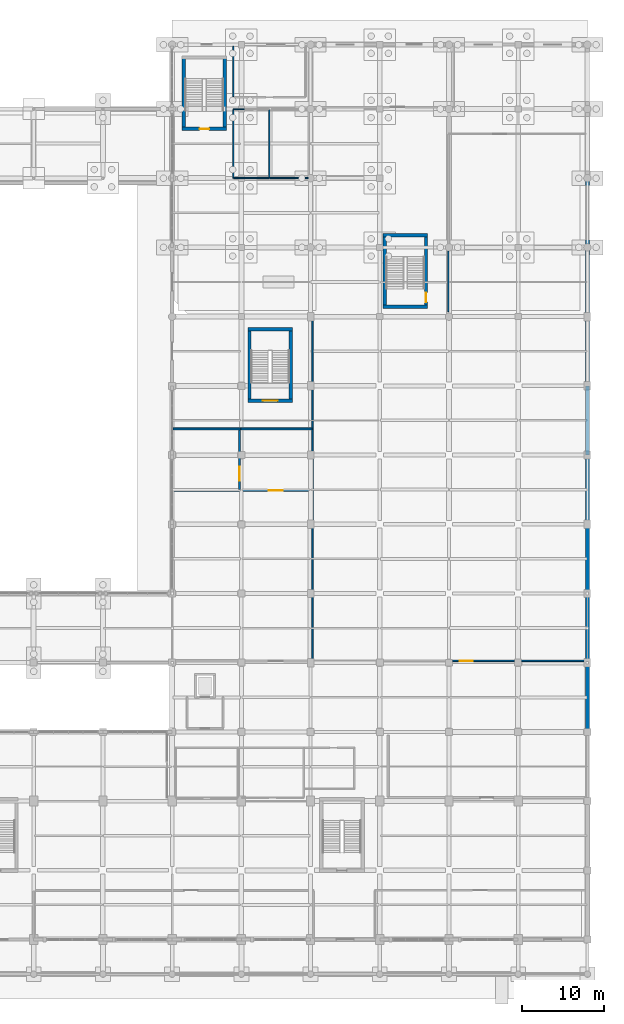
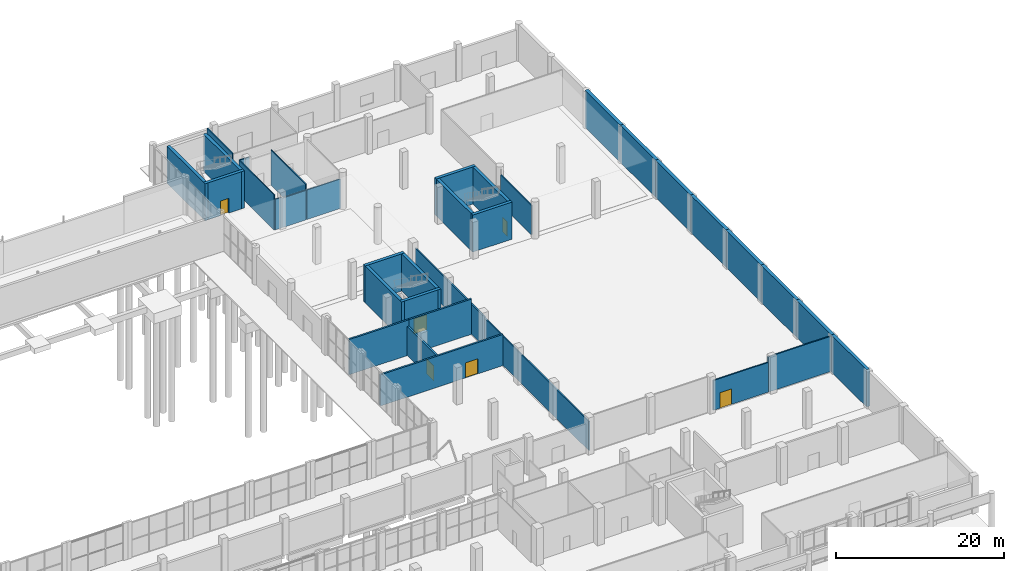
# One storey, part 72 of 82: 35 walls, 6 doors, 6 openings.
"""IFC4 building model written with IfcOpenShell, lengths in metres."""

from ifc_helpers import new_model, si_unit, derived_unit, direction, frame, frame_2d, origin, place, context, subcontext, project, spatial, rectangle, extrude, material, layer, layer_set, type_object, element, fill, save


model = new_model("IFC4")

# Units and contexts
model_context = context("Model", 3, precision=1e-05, world=origin(), true_north=direction((0.0, 1.0)))
body_context = subcontext(model_context, "Body", "Model", "MODEL_VIEW")
ifc_project = project(units=[si_unit("LENGTHUNIT", "METRE"), si_unit("AREAUNIT", "SQUARE_METRE"), si_unit("VOLUMEUNIT", "CUBIC_METRE"), si_unit("PLANEANGLEUNIT", "RADIAN"), si_unit("MASSUNIT", "GRAM", prefix="KILO"), derived_unit("THERMALTRANSMITTANCEUNIT", [(si_unit("POWERUNIT", "WATT"), 1), (si_unit("LENGTHUNIT", "METRE"), -2), (si_unit("THERMODYNAMICTEMPERATUREUNIT", "KELVIN"), -1)])], contexts=[model_context])

# Site, building, storey
site_placement = place(None, origin())
site = spatial("IfcSite", under=ifc_project, at=site_placement, CompositionType="ELEMENT")
building_placement = place(site_placement, origin())
building = spatial("IfcBuilding", under=site, at=building_placement, Name="Barrovel Congress Hotel", CompositionType="ELEMENT")
storey_placement = place(building_placement, origin())
storey = spatial("IfcBuildingStorey", under=building, at=storey_placement, Name="L00", CompositionType="ELEMENT", Elevation=0.0)

# Walls
ifc_material_1 = material(Name="Fired Clay Brick Masonry", Category="masonry")
ifc_layer_1 = layer(ifc_material_1, 0.449951171875)
ifc_layer_set_1 = layer_set([ifc_layer_1], Name="Fired Clay Brick Masonry")
wall_type_1 = type_object("IfcWallType", Name="EW-PW450", PredefinedType="STANDARD", material=ifc_layer_set_1)
wall_1_placement = place(storey_placement, frame((176.39990234375, 29.39990234375, 0.0), z_axis=(0.0, 0.0, 1.0), x_axis=(0.0, 1.0, 0.0)))
element("IfcWall", 1, at=wall_1_placement, inside=storey, type_object=wall_type_1, Name="EW:L00:PARTY:29.4", PredefinedType="STANDARD", context=body_context, shape_type="SweptSolid", body=[
    extrude(rectangle(XDim=8.400146484375, YDim=0.449951171875, at=frame_2d((4.2001953125, 0.0))), origin(), (0.0, 0.0, 1.0), 5.39990234375),
])
wall_2_placement = place(storey_placement, frame((176.39990234375, 37.800048828125, 0.0), z_axis=(0.0, 0.0, 1.0), x_axis=(0.0, 1.0, 0.0)))
element("IfcWall", 2, at=wall_2_placement, inside=storey, type_object=wall_type_1, Name="EW:L00:PARTY:37.8", PredefinedType="STANDARD", context=body_context, shape_type="SweptSolid", body=[
    extrude(rectangle(XDim=8.39990234375, YDim=0.449951171875, at=frame_2d((4.199951171875, 0.0))), origin(), (0.0, 0.0, 1.0), 5.39990234375),
])
wall_3_placement = place(storey_placement, frame((176.39990234375, 46.199951171875, 0.0), z_axis=(0.0, 0.0, 1.0), x_axis=(0.0, 1.0, 0.0)))
element("IfcWall", 3, at=wall_3_placement, inside=storey, type_object=wall_type_1, Name="EW:L00:PARTY:46.2", PredefinedType="STANDARD", context=body_context, shape_type="SweptSolid", body=[
    extrude(rectangle(XDim=8.400146484375, YDim=0.449951171875, at=frame_2d((4.2001953125, 0.0))), origin(), (0.0, 0.0, 1.0), 5.39990234375),
])
for number, where, z_axis, x_axis, name in (
    (4, (176.39990234375, 54.60009765625, 0.0), (0.0, 0.0, 1.0), (0.0, 1.0, 0.0), "EW:L00:PARTY:54.6"),
    (5, (176.39990234375, 63.0, 0.0), (0.0, 0.0, 1.0), (0.0, 1.0, 0.0), "EW:L00:PARTY:63.0"),
):
    element("IfcWall", number, at=place(storey_placement, frame(where, z_axis=z_axis, x_axis=x_axis)), inside=storey, type_object=wall_type_1, Name=name, PredefinedType="STANDARD", context=body_context, shape_type="SweptSolid", body=[
        extrude(rectangle(XDim=8.39990234375, YDim=0.449951171875, at=frame_2d((4.199951171875, 0.0))), origin(), (0.0, 0.0, 1.0), 5.39990234375),
    ])
wall_4_placement = place(storey_placement, frame((176.39990234375, 71.39990234375, 0.0), z_axis=(0.0, 0.0, 1.0), x_axis=(0.0, 1.0, 0.0)))
element("IfcWall", 6, at=wall_4_placement, inside=storey, type_object=wall_type_1, Name="EW:L00:PARTY:71.4", PredefinedType="STANDARD", context=body_context, shape_type="SweptSolid", body=[
    extrude(rectangle(XDim=8.400146484375, YDim=0.449951171875, at=frame_2d((4.2001953125, 0.0))), origin(), (0.0, 0.0, 1.0), 5.39990234375),
])
wall_5_placement = place(storey_placement, frame((176.39990234375, 79.800048828125, 0.0), z_axis=(0.0, 0.0, 1.0), x_axis=(0.0, 1.0, 0.0)))
element("IfcWall", 7, at=wall_5_placement, inside=storey, type_object=wall_type_1, Name="EW:L00:PARTY:79.8", PredefinedType="STANDARD", context=body_context, shape_type="SweptSolid", body=[
    extrude(rectangle(XDim=8.39990234375, YDim=0.449951171875, at=frame_2d((4.199951171875, 0.0))), origin(), (0.0, 0.0, 1.0), 5.39990234375),
])
wall_6_placement = place(storey_placement, frame((176.39990234375, 88.199951171875, 0.0), z_axis=(0.0, 0.0, 1.0), x_axis=(0.0, 1.0, 0.0)))
element("IfcWall", 8, at=wall_6_placement, inside=storey, type_object=wall_type_1, Name="EW:L00:PARTY:88.2", PredefinedType="STANDARD", context=body_context, shape_type="SweptSolid", body=[
    extrude(rectangle(XDim=8.400146484375, YDim=0.449951171875, at=frame_2d((4.2001953125, 0.0))), origin(), (0.0, 0.0, 1.0), 5.39990234375),
])
ifc_material_2 = material(Name="Gypsum Acoustic Stud", Category="gypsum")
ifc_layer_2 = layer(ifc_material_2, 0.179931640625)
ifc_layer_set_2 = layer_set([ifc_layer_2], Name="Gypsum Acoustic Stud")
wall_type_2 = type_object("IfcWallType", Name="PW-ACU-180", PredefinedType="PARTITIONING", material=ifc_layer_set_2)
wall_7_placement = place(storey_placement, frame((143.02001953125, 38.110107421875, 0.0), z_axis=(0.0, 0.0, 1.0), x_axis=(0.0, 1.0, 0.0)))
element("IfcWall", 9, at=wall_7_placement, inside=storey, type_object=wall_type_2, Name="RW:SP:L00:BALL:W", PredefinedType="PARTITIONING", context=body_context, shape_type="SweptSolid", body=[
    extrude(rectangle(XDim=24.889892578125, YDim=0.179931640625, at=frame_2d((12.44482421875, 0.0))), origin(), (0.0, 0.0, 1.0), 4.239990234375),
])

# Wall, opening, door
wall_8_placement = place(storey_placement, frame((160.0, 38.02001953125, 0.0), z_axis=(0.0, 0.0, 1.0), x_axis=(1.0, 0.0, 0.0)))
wall_8 = element("IfcWall", 10, at=wall_8_placement, inside=storey, type_object=wall_type_2, Name="RW:SP:L00:BALL:S:P02", PredefinedType="PARTITIONING", context=body_context, shape_type="SweptSolid", body=[
    extrude(rectangle(XDim=7.574951171875, YDim=0.179931640625, at=frame_2d((3.78759765625, 0.0))), origin(), (0.0, 0.0, 1.0), 4.340087890625),
])
opening_1_placement = place(wall_8_placement, frame((0.8974609375, 0.0, 0.0)))
opening_1 = element("IfcOpeningElement", 11, at=opening_1_placement, cuts=wall_8, Name="Opening ID-MTG", PredefinedType="OPENING", context=body_context, shape_type="SweptSolid", body=[
    extrude(rectangle(XDim=1.60009765625, YDim=2.25, at=frame_2d((0.800048828125, 1.125))), frame((0.0, 0.10009765625, 0.0), z_axis=(0.0, -1.0, 0.0), x_axis=(1.0, 0.0, 0.0)), (0.0, 0.0, 1.0), 0.199951171875),
])
ifc_material_3 = material(Name="Solid Oak Acoustic Timber Door", Category="wood")
door_type_1 = type_object("IfcDoorType", Name="IDR-ID-MTG", OperationType="NOTDEFINED", PredefinedType="DOOR", material=ifc_material_3)
door_1_placement = place(opening_1_placement, origin())
door_1 = element("IfcDoor", 12, at=door_1_placement, inside=storey, type_object=door_type_1, Name="RD:SP:L00:BALL", OperationType="DOUBLE_DOOR_SINGLE_SWING", OverallHeight=2.25, OverallWidth=1.60009765625, PredefinedType="DOOR", context=body_context, shape_type="SweptSolid", body=[
    extrude(rectangle(XDim=1.60009765625, YDim=2.25, at=frame_2d((0.800048828125, 1.125))), frame((0.0, 0.02490234375, 0.0), z_axis=(0.0, -1.0, 0.0), x_axis=(1.0, 0.0, 0.0)), (0.0, 0.0, 1.0), 0.050048828125),
])
fill(opening_1, door_1)

# Walls
wall_9_placement = place(storey_placement, frame((167.574951171875, 38.02001953125, 0.0), z_axis=(0.0, 0.0, 1.0), x_axis=(1.0, 0.0, 0.0)))
element("IfcWall", 13, at=wall_9_placement, inside=storey, type_object=wall_type_2, Name="RW:SP:L00:BALL:S:P03", PredefinedType="PARTITIONING", context=body_context, shape_type="SweptSolid", body=[
    extrude(rectangle(XDim=8.60009765625, YDim=0.179931640625, at=frame_2d((4.300048828125, 0.0))), origin(), (0.0, 0.0, 1.0), 5.135009765625),
])
wall_10_placement = place(storey_placement, frame((143.02001953125, 63.0, 0.0), z_axis=(0.0, 0.0, 1.0), x_axis=(0.0, 1.0, 0.0)))
element("IfcWall", 14, at=wall_10_placement, inside=storey, type_object=wall_type_2, Name="RW:SP:L00:BALL:W:P02", PredefinedType="PARTITIONING", context=body_context, shape_type="SweptSolid", body=[
    extrude(rectangle(XDim=16.580078125, YDim=0.179931640625, at=frame_2d((8.2900390625, 0.0))), origin(), (0.0, 0.0, 1.0), 4.389892578125),
])

# Wall, opening, door
ifc_layer_3 = layer(ifc_material_1, 0.239990234375)
ifc_layer_set_3 = layer_set([ifc_layer_3], Name="Fired Clay Brick Masonry")
wall_type_3 = type_object("IfcWallType", Name="PW-MAS-240", PredefinedType="PARTITIONING", material=ifc_layer_set_3)
wall_11_placement = place(storey_placement, frame((126.080078125, 58.679931640625, 0.0), z_axis=(0.0, 0.0, 1.0), x_axis=(1.0, 0.0, 0.0)))
wall_11 = element("IfcWall", 15, at=wall_11_placement, inside=storey, type_object=wall_type_3, Name="RW:SP:L00:MKIT:N", PredefinedType="PARTITIONING", context=body_context, shape_type="SweptSolid", body=[
    extrude(rectangle(XDim=16.864990234375, YDim=0.239990234375, at=frame_2d((8.4326171875, 0.0))), origin(), (0.0, 0.0, 1.0), 4.5400390625),
])
opening_2_placement = place(wall_11_placement, frame((11.669921875, 0.0, 0.0)))
opening_2 = element("IfcOpeningElement", 16, at=opening_2_placement, cuts=wall_11, Name="Opening ID-KIT", PredefinedType="OPENING", context=body_context, shape_type="SweptSolid", body=[
    extrude(rectangle(XDim=1.699951171875, YDim=2.199951171875, at=frame_2d((0.85009765625, 1.10009765625))), frame((0.0, 0.1298828125, 0.0), z_axis=(0.0, -1.0, 0.0), x_axis=(1.0, 0.0, 0.0)), (0.0, 0.0, 1.0), 0.260009765625),
])
ifc_material_4 = material(Name="Brushed Stainless Steel", Category="steel")
door_type_2 = type_object("IfcDoorType", Name="IDR-ID-KIT", OperationType="NOTDEFINED", PredefinedType="DOOR", material=ifc_material_4)
door_2_placement = place(opening_2_placement, origin())
door_2 = element("IfcDoor", 17, at=door_2_placement, inside=storey, type_object=door_type_2, Name="RD:SP:L00:DRYS", OperationType="DOUBLE_DOOR_SINGLE_SWING", OverallHeight=2.199951171875, OverallWidth=1.699951171875, PredefinedType="DOOR", context=body_context, shape_type="SweptSolid", body=[
    extrude(rectangle(XDim=1.699951171875, YDim=2.199951171875, at=frame_2d((0.85009765625, 1.10009765625))), frame((0.0, 0.02490234375, 0.0), z_axis=(0.0, -1.0, 0.0), x_axis=(1.0, 0.0, 0.0)), (0.0, 0.0, 1.0), 0.050048828125),
])
fill(opening_2, door_2)

wall_12_placement = place(storey_placement, frame((134.179931640625, 58.800048828125, 0.0), z_axis=(0.0, 0.0, 1.0), x_axis=(0.0, 1.0, 0.0)))
wall_12 = element("IfcWall", 18, at=wall_12_placement, inside=storey, type_object=wall_type_3, Name="RW:SP:L00:COLD:E", PredefinedType="PARTITIONING", context=body_context, shape_type="SweptSolid", body=[
    extrude(rectangle(XDim=7.260009765625, YDim=0.239990234375, at=frame_2d((3.6298828125, 0.0))), origin(), (0.0, 0.0, 1.0), 4.239990234375),
])
opening_3_placement = place(wall_12_placement, frame((1.080078125, 0.0, 0.0)))
opening_3 = element("IfcOpeningElement", 19, at=opening_3_placement, cuts=wall_12, Name="Opening ID-KIT", PredefinedType="OPENING", context=body_context, shape_type="SweptSolid", body=[
    extrude(rectangle(XDim=1.699951171875, YDim=2.199951171875, at=frame_2d((0.85009765625, 1.10009765625))), frame((0.0, 0.1298828125, 0.0), z_axis=(0.0, -1.0, 0.0), x_axis=(1.0, 0.0, 0.0)), (0.0, 0.0, 1.0), 0.260009765625),
])
door_3_placement = place(opening_3_placement, origin())
door_3 = element("IfcDoor", 20, at=door_3_placement, inside=storey, type_object=door_type_2, Name="RD:SP:L00:COLD", OperationType="DOUBLE_DOOR_SINGLE_SWING", OverallHeight=2.199951171875, OverallWidth=1.699951171875, PredefinedType="DOOR", context=body_context, shape_type="SweptSolid", body=[
    extrude(rectangle(XDim=1.699951171875, YDim=2.199951171875, at=frame_2d((0.85009765625, 1.10009765625))), frame((0.0, 0.02490234375, 0.0), z_axis=(0.0, -1.0, 0.0), x_axis=(1.0, 0.0, 0.0)), (0.0, 0.0, 1.0), 0.050048828125),
])
fill(opening_3, door_3)

# Walls
wall_13_placement = place(storey_placement, frame((126.080078125, 66.179931640625, 0.0), z_axis=(0.0, 0.0, 1.0), x_axis=(1.0, 0.0, 0.0)))
element("IfcWall", 21, at=wall_13_placement, inside=storey, type_object=wall_type_3, Name="RW:SP:L00:COLD:N", PredefinedType="PARTITIONING", context=body_context, shape_type="SweptSolid", body=[
    extrude(rectangle(XDim=8.219970703125, YDim=0.239990234375, at=frame_2d((4.10986328125, 0.0))), origin(), (0.0, 0.0, 1.0), 5.135009765625),
])
wall_14_placement = place(storey_placement, frame((134.300048828125, 66.179931640625, 0.0), z_axis=(0.0, 0.0, 1.0), x_axis=(1.0, 0.0, 0.0)))
element("IfcWall", 22, at=wall_14_placement, inside=storey, type_object=wall_type_3, Name="RW:SP:L00:DRYS:N", PredefinedType="PARTITIONING", context=body_context, shape_type="SweptSolid", body=[
    extrude(rectangle(XDim=8.64501953125, YDim=0.239990234375, at=frame_2d((4.322509765625, 0.0))), origin(), (0.0, 0.0, 1.0), 5.135009765625),
])
ifc_layer_4 = layer(ifc_material_2, 0.14990234375)
ifc_layer_set_4 = layer_set([ifc_layer_4], Name="Gypsum Acoustic Stud")
wall_type_4 = type_object("IfcWallType", Name="PW-STD-150", PredefinedType="PARTITIONING", material=ifc_layer_set_4)
wall_15_placement = place(storey_placement, frame((159.52001953125, 80.419921875, 0.0), z_axis=(0.0, 0.0, 1.0), x_axis=(0.0, 1.0, 0.0)))
element("IfcWall", 23, at=wall_15_placement, inside=storey, type_object=wall_type_4, Name="RW:SP:L00:POOL:W:P01", PredefinedType="PARTITIONING", context=body_context, shape_type="SweptSolid", body=[
    extrude(rectangle(XDim=7.330078125, YDim=0.14990234375, at=frame_2d((3.6650390625, 0.0))), origin(), (0.0, 0.0, 1.0), 4.2900390625),
])
ifc_material_5 = material(Name="Gypsum Moisture Board", Category="gypsum")
ifc_layer_5 = layer(ifc_material_5, 0.139892578125)
ifc_layer_set_5 = layer_set([ifc_layer_5], Name="Gypsum Moisture Board")
wall_type_5 = type_object("IfcWallType", Name="PW-WET-140", PredefinedType="PARTITIONING", material=ifc_layer_set_5)
for number, where, z_axis, x_axis, name in (
    (24, (133.419921875, 96.6201171875, 0.0), (0.0, 0.0, 1.0), (0.0, 1.0, 0.0), "RW:SP:L00:SAUNA:W"),
    (25, (137.780029296875, 96.6201171875, 0.0), (0.0, 0.0, 1.0), (0.0, 1.0, 0.0), "RW:SP:L00:SAUNA:E"),
):
    element("IfcWall", number, at=place(storey_placement, frame(where, z_axis=z_axis, x_axis=x_axis)), inside=storey, type_object=wall_type_5, Name=name, PredefinedType="PARTITIONING", context=body_context, shape_type="SweptSolid", body=[
        extrude(rectangle(XDim=8.289794921875, YDim=0.139892578125, at=frame_2d((4.14501953125, 0.0))), origin(), (0.0, 0.0, 1.0), 5.135009765625),
    ])
wall_16_placement = place(storey_placement, frame((134.39990234375, 96.6201171875, 0.0), z_axis=(0.0, 0.0, 1.0), x_axis=(1.0, 0.0, 0.0)))
element("IfcWall", 26, at=wall_16_placement, inside=storey, type_object=wall_type_5, Name="RW:SP:L00:SAUNA:S", PredefinedType="PARTITIONING", context=body_context, shape_type="SweptSolid", body=[
    extrude(rectangle(XDim=3.31005859375, YDim=0.139892578125, at=frame_2d((1.655029296875, 0.0))), origin(), (0.0, 0.0, 1.0), 4.2900390625),
])
wall_17_placement = place(storey_placement, frame((137.85009765625, 96.6201171875, 0.0), z_axis=(0.0, 0.0, 1.0), x_axis=(1.0, 0.0, 0.0)))
element("IfcWall", 27, at=wall_17_placement, inside=storey, type_object=wall_type_5, Name="RW:SP:L00:STEAM:S", PredefinedType="PARTITIONING", context=body_context, shape_type="SweptSolid", body=[
    extrude(rectangle(XDim=4.659912109375, YDim=0.139892578125, at=frame_2d((2.330078125, 0.0))), origin(), (0.0, 0.0, 1.0), 4.2900390625),
])
wall_18_placement = place(storey_placement, frame((133.419921875, 106.489990234375, 0.0), z_axis=(0.0, 0.0, 1.0), x_axis=(0.0, 1.0, 0.0)))
element("IfcWall", 28, at=wall_18_placement, inside=storey, type_object=wall_type_5, Name="RW:SP:L00:SPA-WC:W", PredefinedType="PARTITIONING", context=body_context, shape_type="SweptSolid", body=[
    extrude(rectangle(XDim=6.130126953125, YDim=0.139892578125, at=frame_2d((3.06494140625, 0.0))), origin(), (0.0, 0.0, 1.0), 5.135009765625),
])
wall_19_placement = place(storey_placement, frame((133.419921875, 104.97998046875, 0.0), z_axis=(0.0, 0.0, 1.0), x_axis=(1.0, 0.0, 0.0)))
element("IfcWall", 29, at=wall_19_placement, inside=storey, type_object=wall_type_5, Name="RW:SP:L00:SAUNA:N:P01", PredefinedType="PARTITIONING", context=body_context, shape_type="SweptSolid", body=[
    extrude(rectangle(XDim=1.35498046875, YDim=0.139892578125, at=frame_2d((0.677490234375, 0.0))), origin(), (0.0, 0.0, 1.0), 5.135009765625),
])
wall_20_placement = place(storey_placement, frame((133.489990234375, 96.6201171875, 0.0), z_axis=(0.0, 0.0, 1.0), x_axis=(1.0, 0.0, 0.0)))
element("IfcWall", 30, at=wall_20_placement, inside=storey, type_object=wall_type_5, Name="RW:SP:L00:SAUNA:S:P01", PredefinedType="PARTITIONING", context=body_context, shape_type="SweptSolid", body=[
    extrude(rectangle(XDim=0.909912109375, YDim=0.139892578125, at=frame_2d((0.455078125, 0.0))), origin(), (0.0, 0.0, 1.0), 4.4560546875),
])
ifc_material_6 = material(Name="Concrete C50", Category="concrete")
ifc_layer_6 = layer(ifc_material_6, 0.419921875)
ifc_layer_set_6 = layer_set([ifc_layer_6], Name="Concrete C50")
wall_type_6 = type_object("IfcWallType", Name="SW-C50-420", PredefinedType="SHEAR", material=ifc_layer_set_6)
wall_21_placement = place(storey_placement, frame((151.580078125, 80.989990234375, 0.0), z_axis=(0.0, 0.0, 1.0), x_axis=(1.0, 0.0, 0.0)))
element("IfcWall", 31, at=wall_21_placement, inside=storey, type_object=wall_type_6, Name="SHW:XS-06:L00:S", PredefinedType="SHEAR", context=body_context, shape_type="SweptSolid", body=[
    extrude(rectangle(XDim=5.43994140625, YDim=0.419921875, at=frame_2d((2.719970703125, 0.0))), origin(), (0.0, 0.0, 1.0), 5.39990234375),
])

# Wall, opening, door
wall_22_placement = place(storey_placement, frame((156.81005859375, 80.780029296875, 0.0), z_axis=(0.0, 0.0, 1.0), x_axis=(0.0, 1.0, 0.0)))
wall_22 = element("IfcWall", 32, at=wall_22_placement, inside=storey, type_object=wall_type_6, Name="SHW:XS-06:L00:E", PredefinedType="SHEAR", context=body_context, shape_type="SweptSolid", body=[
    extrude(rectangle(XDim=9.080078125, YDim=0.419921875, at=frame_2d((4.5400390625, 0.0))), origin(), (0.0, 0.0, 1.0), 5.39990234375),
])
opening_4_placement = place(wall_22_placement, frame((1.94482421875, 0.0, 0.0), z_axis=(0.0, 0.0, 1.0), x_axis=(-1.0, 0.0, 0.0)))
opening_4 = element("IfcOpeningElement", 33, at=opening_4_placement, cuts=wall_22, Name="Opening ID-ST1", PredefinedType="OPENING", context=body_context, shape_type="SweptSolid", body=[
    extrude(rectangle(XDim=1.14990234375, YDim=2.14990234375, at=frame_2d((0.574951171875, 1.074951171875))), frame((0.0, 0.219970703125, 0.0), z_axis=(0.0, -1.0, 0.0), x_axis=(1.0, 0.0, 0.0)), (0.0, 0.0, 1.0), 0.43994140625),
])
ifc_material_7 = material(Name="Painted Hollow-Metal Steel Door", Category="steel")
door_type_3 = type_object("IfcDoorType", Name="IDR-ID-ST1", OperationType="NOTDEFINED", PredefinedType="DOOR", material=ifc_material_7)
door_4_placement = place(opening_4_placement, origin())
door_4 = element("IfcDoor", 34, at=door_4_placement, inside=storey, type_object=door_type_3, Name="Stair Core Fire Door XS-06-L00", OperationType="SINGLE_SWING_LEFT", OverallHeight=2.14990234375, OverallWidth=1.14990234375, PredefinedType="DOOR", context=body_context, shape_type="SweptSolid", body=[
    extrude(rectangle(XDim=1.14990234375, YDim=2.14990234375, at=frame_2d((0.574951171875, 1.074951171875))), frame((0.0, 0.02490234375, 0.0), z_axis=(0.0, -1.0, 0.0), x_axis=(1.0, 0.0, 0.0)), (0.0, 0.0, 1.0), 0.050048828125),
])
fill(opening_4, door_4)

# Walls
wall_23_placement = place(storey_placement, frame((157.02001953125, 89.64990234375, 0.0), z_axis=(0.0, 0.0, 1.0), x_axis=(-1.0, 0.0, 0.0)))
element("IfcWall", 35, at=wall_23_placement, inside=storey, type_object=wall_type_6, Name="SHW:XS-06:L00:N", PredefinedType="SHEAR", context=body_context, shape_type="SweptSolid", body=[
    extrude(rectangle(XDim=5.43994140625, YDim=0.419921875, at=frame_2d((2.719970703125, 0.0))), origin(), (0.0, 0.0, 1.0), 5.39990234375),
])
wall_24_placement = place(storey_placement, frame((151.7900390625, 89.860107421875, 0.0), z_axis=(0.0, 0.0, 1.0), x_axis=(0.0, -1.0, 0.0)))
element("IfcWall", 36, at=wall_24_placement, inside=storey, type_object=wall_type_6, Name="SHW:XS-06:L00:W", PredefinedType="SHEAR", context=body_context, shape_type="SweptSolid", body=[
    extrude(rectangle(XDim=9.080078125, YDim=0.419921875, at=frame_2d((4.5400390625, 0.0))), origin(), (0.0, 0.0, 1.0), 5.39990234375),
])

# Wall, opening, door
wall_25_placement = place(storey_placement, frame((135.179931640625, 69.590087890625, 0.0), z_axis=(0.0, 0.0, 1.0), x_axis=(1.0, 0.0, 0.0)))
wall_25 = element("IfcWall", 37, at=wall_25_placement, inside=storey, type_object=wall_type_6, Name="SHW:XS-09:L00:S", PredefinedType="SHEAR", context=body_context, shape_type="SweptSolid", body=[
    extrude(rectangle(XDim=5.440185546875, YDim=0.419921875, at=frame_2d((2.72021484375, 0.0))), origin(), (0.0, 0.0, 1.0), 5.39990234375),
])
opening_5_placement = place(wall_25_placement, frame((3.6201171875, 0.0, 0.0), z_axis=(0.0, 0.0, 1.0), x_axis=(-1.0, 0.0, 0.0)))
opening_5 = element("IfcOpeningElement", 38, at=opening_5_placement, cuts=wall_25, Name="Opening ID-ST2", PredefinedType="OPENING", context=body_context, shape_type="SweptSolid", body=[
    extrude(rectangle(XDim=1.800048828125, YDim=2.199951171875, at=frame_2d((0.89990234375, 1.10009765625))), frame((0.0, 0.219970703125, 0.0), z_axis=(0.0, -1.0, 0.0), x_axis=(1.0, 0.0, 0.0)), (0.0, 0.0, 1.0), 0.43994140625),
])
door_type_4 = type_object("IfcDoorType", Name="IDR-ID-ST2", OperationType="NOTDEFINED", PredefinedType="DOOR", material=ifc_material_7)
door_5_placement = place(opening_5_placement, origin())
door_5 = element("IfcDoor", 39, at=door_5_placement, inside=storey, type_object=door_type_4, Name="Stair Core Fire Door XS-09-L00", OperationType="DOUBLE_DOOR_SINGLE_SWING", OverallHeight=2.199951171875, OverallWidth=1.800048828125, PredefinedType="DOOR", context=body_context, shape_type="SweptSolid", body=[
    extrude(rectangle(XDim=1.800048828125, YDim=2.199951171875, at=frame_2d((0.89990234375, 1.10009765625))), frame((0.0, 0.02490234375, 0.0), z_axis=(0.0, -1.0, 0.0), x_axis=(1.0, 0.0, 0.0)), (0.0, 0.0, 1.0), 0.050048828125),
])
fill(opening_5, door_5)

# Walls
wall_26_placement = place(storey_placement, frame((140.409912109375, 69.3798828125, 0.0), z_axis=(0.0, 0.0, 1.0), x_axis=(0.0, 1.0, 0.0)))
element("IfcWall", 40, at=wall_26_placement, inside=storey, type_object=wall_type_6, Name="SHW:XS-09:L00:E", PredefinedType="SHEAR", context=body_context, shape_type="SweptSolid", body=[
    extrude(rectangle(XDim=9.080078125, YDim=0.419921875, at=frame_2d((4.5400390625, 0.0))), origin(), (0.0, 0.0, 1.0), 5.39990234375),
])
wall_27_placement = place(storey_placement, frame((140.6201171875, 78.25, 0.0), z_axis=(0.0, 0.0, 1.0), x_axis=(-1.0, 0.0, 0.0)))
element("IfcWall", 41, at=wall_27_placement, inside=storey, type_object=wall_type_6, Name="SHW:XS-09:L00:N", PredefinedType="SHEAR", context=body_context, shape_type="SweptSolid", body=[
    extrude(rectangle(XDim=5.440185546875, YDim=0.419921875, at=frame_2d((2.72021484375, 0.0))), origin(), (0.0, 0.0, 1.0), 5.39990234375),
])
wall_28_placement = place(storey_placement, frame((135.389892578125, 78.4599609375, 0.0), z_axis=(0.0, 0.0, 1.0), x_axis=(0.0, -1.0, 0.0)))
element("IfcWall", 42, at=wall_28_placement, inside=storey, type_object=wall_type_6, Name="SHW:XS-09:L00:W", PredefinedType="SHEAR", context=body_context, shape_type="SweptSolid", body=[
    extrude(rectangle(XDim=9.080078125, YDim=0.419921875, at=frame_2d((4.5400390625, 0.0))), origin(), (0.0, 0.0, 1.0), 5.39990234375),
])

# Wall, opening, door
wall_29_placement = place(storey_placement, frame((127.179931640625, 102.590087890625, 0.0), z_axis=(0.0, 0.0, 1.0), x_axis=(1.0, 0.0, 0.0)))
wall_29 = element("IfcWall", 43, at=wall_29_placement, inside=storey, type_object=wall_type_6, Name="SHW:XS-10:L00:S", PredefinedType="SHEAR", context=body_context, shape_type="SweptSolid", body=[
    extrude(rectangle(XDim=5.440185546875, YDim=0.419921875, at=frame_2d((2.72021484375, 0.0))), origin(), (0.0, 0.0, 1.0), 5.39990234375),
])
opening_6_placement = place(wall_29_placement, frame((3.294921875, 0.0, 0.0), z_axis=(0.0, 0.0, 1.0), x_axis=(-1.0, 0.0, 0.0)))
opening_6 = element("IfcOpeningElement", 44, at=opening_6_placement, cuts=wall_29, Name="Opening ID-ST1", PredefinedType="OPENING", context=body_context, shape_type="SweptSolid", body=[
    extrude(rectangle(XDim=1.14990234375, YDim=2.14990234375, at=frame_2d((0.574951171875, 1.074951171875))), frame((0.0, 0.219970703125, 0.0), z_axis=(0.0, -1.0, 0.0), x_axis=(1.0, 0.0, 0.0)), (0.0, 0.0, 1.0), 0.43994140625),
])
door_6_placement = place(opening_6_placement, origin())
door_6 = element("IfcDoor", 45, at=door_6_placement, inside=storey, type_object=door_type_3, Name="Stair Core Fire Door XS-10-L00", OperationType="SINGLE_SWING_LEFT", OverallHeight=2.14990234375, OverallWidth=1.14990234375, PredefinedType="DOOR", context=body_context, shape_type="SweptSolid", body=[
    extrude(rectangle(XDim=1.14990234375, YDim=2.14990234375, at=frame_2d((0.574951171875, 1.074951171875))), frame((0.0, 0.02490234375, 0.0), z_axis=(0.0, -1.0, 0.0), x_axis=(1.0, 0.0, 0.0)), (0.0, 0.0, 1.0), 0.050048828125),
])
fill(opening_6, door_6)

# Walls
for number, where, z_axis, x_axis, name in (
    (46, (132.409912109375, 102.3798828125, 0.0), (0.0, 0.0, 1.0), (0.0, 1.0, 0.0), "SHW:XS-10:L00:E"),
    (47, (127.389892578125, 111.4599609375, 0.0), (0.0, 0.0, 1.0), (0.0, -1.0, 0.0), "SHW:XS-10:L00:W"),
):
    element("IfcWall", number, at=place(storey_placement, frame(where, z_axis=z_axis, x_axis=x_axis)), inside=storey, type_object=wall_type_6, Name=name, PredefinedType="SHEAR", context=body_context, shape_type="SweptSolid", body=[
        extrude(rectangle(XDim=9.080078125, YDim=0.419921875, at=frame_2d((4.5400390625, 0.0))), origin(), (0.0, 0.0, 1.0), 5.39990234375),
    ])

save(model, "model.ifc")
